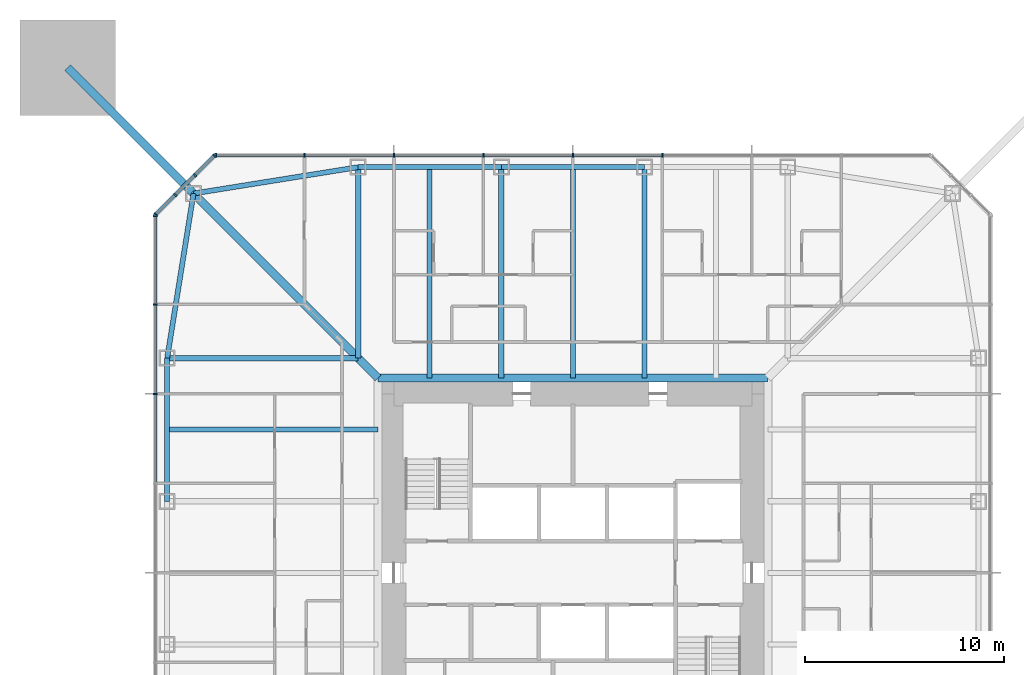
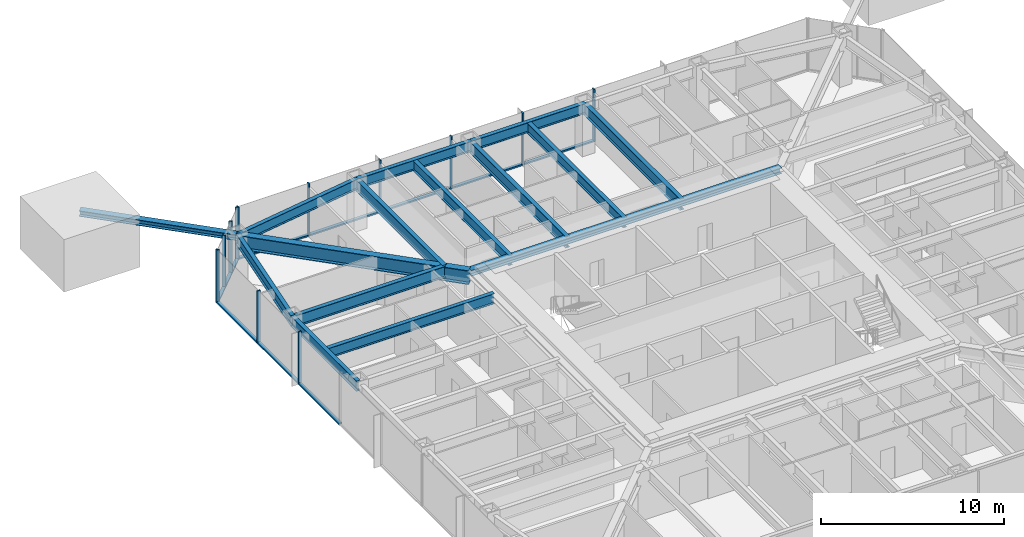
# One storey, part 6 of 25: 25 members, 14 beams, 3 elements without a shape of their own.
"""IFC4 building model written with IfcOpenShell, lengths in metres."""

from ifc_helpers import new_model, si_unit, direction, frame, origin, origin_2d, place, context, subcontext, project, spatial, rectangle, i_section, extrude, material, material_profile, profile_set, type_object, element, aggregate, save


model = new_model("IFC4")

# Units and contexts
model_context = context("Model", 3, precision=1e-05, world=origin(), true_north=direction((0.0, 1.0)))
body_context = subcontext(model_context, "Body", "Model", "MODEL_VIEW")
ifc_project = project(units=[si_unit("LENGTHUNIT", "METRE"), si_unit("AREAUNIT", "SQUARE_METRE"), si_unit("VOLUMEUNIT", "CUBIC_METRE"), si_unit("PLANEANGLEUNIT", "RADIAN"), si_unit("MASSUNIT", "GRAM", prefix="KILO")], contexts=[model_context])

# Site, building, storey
site_placement = place(None, origin())
site = spatial("IfcSite", under=ifc_project, at=site_placement, CompositionType="ELEMENT")
building_placement = place(site_placement, origin())
building = spatial("IfcBuilding", under=site, at=building_placement, Name="Iwan Alto Co-Living Towers", CompositionType="ELEMENT")
storey_placement = place(building_placement, frame((0.0, 0.0, 112.0)))
storey = spatial("IfcBuildingStorey", under=building, at=storey_placement, Name="L30", CompositionType="ELEMENT", Elevation=112.0)

# Curtain wall, members
ifc_material_1 = material(Name="Bronze aluminium unitised frame", Category="aluminium")
curtain_wall_type_1 = type_object("IfcCurtainWallType", Name="CURTAIN WALL CW-A", PredefinedType="NOTDEFINED", material=ifc_material_1)
curtain_wall_1_placement = place(storey_placement, origin())
curtain_wall_1 = element("IfcCurtainWall", 1, at=curtain_wall_1_placement, inside=storey, type_object=curtain_wall_type_1, Name="T1 curtain wall N L30", PredefinedType="NOTDEFINED")
ifc_material_2 = material(Name="Aluminium 6063-T6 bronze anodised", Category="aluminium")
ifc_material_profile_1 = material_profile(ifc_material_2, rectangle(XDim=0.199951171875, YDim=0.080078125, at=origin_2d()), Name="AL 80X200")
ifc_profile_set_1 = profile_set([ifc_material_profile_1], Name="Aluminium 6063-T6 bronze anodised")
member_type_1 = type_object("IfcMemberType", Name="CW-A MULLION 80X200", PredefinedType="MULLION", material=ifc_profile_set_1)
member_1_placement = place(storey_placement, frame((4.5, 21.0, 0.0), z_axis=(0.0, 0.0, 1.0), x_axis=(0.0, -1.0, 0.0)))
member_1 = element("IfcMember", 2, at=member_1_placement, type_object=member_type_1, Name="CW-A mullion 4", PredefinedType="MULLION", context=body_context, shape_type="SweptSolid", body=[
    extrude(rectangle(XDim=0.199951171875, YDim=0.080078125, at=origin_2d()), origin(), (0.0, 0.0, 1.0), 3.5),
])
member_2_placement = place(storey_placement, frame((0.0, 21.0, 0.0), z_axis=(0.0, 0.0, 1.0), x_axis=(0.0, -1.0, 0.0)))
member_2 = element("IfcMember", 3, at=member_2_placement, type_object=member_type_1, Name="CW-A mullion 5", PredefinedType="MULLION", context=body_context, shape_type="SweptSolid", body=[
    extrude(rectangle(XDim=0.199951171875, YDim=0.080078125, at=origin_2d()), origin(), (0.0, 0.0, 1.0), 3.5),
])
member_3_placement = place(storey_placement, frame((-4.5, 21.0, 0.0), z_axis=(0.0, 0.0, 1.0), x_axis=(0.0, -1.0, 0.0)))
member_3 = element("IfcMember", 4, at=member_3_placement, type_object=member_type_1, Name="CW-A mullion 6", PredefinedType="MULLION", context=body_context, shape_type="SweptSolid", body=[
    extrude(rectangle(XDim=0.199951171875, YDim=0.080078125, at=origin_2d()), origin(), (0.0, 0.0, 1.0), 3.5),
])
member_4_placement = place(storey_placement, frame((-9.0, 21.0, 0.0), z_axis=(0.0, 0.0, 1.0), x_axis=(0.0, -1.0, 0.0)))
member_4 = element("IfcMember", 5, at=member_4_placement, type_object=member_type_1, Name="CW-A mullion 7", PredefinedType="MULLION", context=body_context, shape_type="SweptSolid", body=[
    extrude(rectangle(XDim=0.199951171875, YDim=0.080078125, at=origin_2d()), origin(), (0.0, 0.0, 1.0), 3.5),
])
member_5_placement = place(storey_placement, frame((-13.5, 21.0, 0.0), z_axis=(0.0, 0.0, 1.0), x_axis=(0.0, -1.0, 0.0)))
member_5 = element("IfcMember", 6, at=member_5_placement, type_object=member_type_1, Name="CW-A mullion 8", PredefinedType="MULLION", context=body_context, shape_type="SweptSolid", body=[
    extrude(rectangle(XDim=0.199951171875, YDim=0.080078125, at=origin_2d()), origin(), (0.0, 0.0, 1.0), 3.5),
])
member_6_placement = place(storey_placement, frame((-17.9599609375, 21.0, 0.0), z_axis=(0.0, 0.0, 1.0), x_axis=(0.0, -1.0, 0.0)))
member_6 = element("IfcMember", 7, at=member_6_placement, type_object=member_type_1, Name="CW-A mullion 9", PredefinedType="MULLION", context=body_context, shape_type="SweptSolid", body=[
    extrude(rectangle(XDim=0.199951171875, YDim=0.080078125, at=origin_2d()), origin(), (0.0, 0.0, 1.0), 3.5),
])

curtain_wall_2_placement = place(storey_placement, origin())
curtain_wall_2 = element("IfcCurtainWall", 8, at=curtain_wall_2_placement, inside=storey, type_object=curtain_wall_type_1, Name="T1 curtain wall W L30", PredefinedType="NOTDEFINED")
member_7_placement = place(storey_placement, frame((-21.0, 17.9599609375, 0.0), z_axis=(0.0, 0.0, 1.0), x_axis=(1.0, 0.0, 0.0)))
member_7 = element("IfcMember", 9, at=member_7_placement, type_object=member_type_1, Name="CW-A mullion 1", PredefinedType="MULLION", context=body_context, shape_type="SweptSolid", body=[
    extrude(rectangle(XDim=0.199951171875, YDim=0.080078125, at=origin_2d()), origin(), (0.0, 0.0, 1.0), 3.5),
])
member_8_placement = place(storey_placement, frame((-21.0, 13.5, 0.0), z_axis=(0.0, 0.0, 1.0), x_axis=(1.0, 0.0, 0.0)))
member_8 = element("IfcMember", 10, at=member_8_placement, type_object=member_type_1, Name="CW-A mullion 2", PredefinedType="MULLION", context=body_context, shape_type="SweptSolid", body=[
    extrude(rectangle(XDim=0.199951171875, YDim=0.080078125, at=origin_2d()), origin(), (0.0, 0.0, 1.0), 3.5),
])
member_9_placement = place(storey_placement, frame((-21.0, 9.0, 0.0), z_axis=(0.0, 0.0, 1.0), x_axis=(1.0, 0.0, 0.0)))
member_9 = element("IfcMember", 11, at=member_9_placement, type_object=member_type_1, Name="CW-A mullion 3", PredefinedType="MULLION", context=body_context, shape_type="SweptSolid", body=[
    extrude(rectangle(XDim=0.199951171875, YDim=0.080078125, at=origin_2d()), origin(), (0.0, 0.0, 1.0), 3.5),
])

# Member
ifc_material_3 = material(Name="Aluminium 6063-T6 bronze anodised", Category="aluminium")
ifc_material_profile_2 = material_profile(ifc_material_3, rectangle(XDim=0.199951171875, YDim=0.10009765625, at=origin_2d()), Name="AL 200X100")
ifc_profile_set_2 = profile_set([ifc_material_profile_2], Name="Aluminium 6063-T6 bronze anodised")
member_type_2 = type_object("IfcMemberType", Name="CW-A TRANSOM 200X100", PredefinedType="USERDEFINED", material=ifc_profile_set_2)
member_10_placement = place(storey_placement, frame((4.4599609375, 21.0, 0.050048828125), z_axis=(-1.0, 0.0, 0.0), x_axis=(0.0, -1.0, 0.0)))
member_10 = element("IfcMember", 12, at=member_10_placement, type_object=member_type_2, Name="CW-A transom 4.1", ObjectType="TRANSOM", PredefinedType="USERDEFINED", context=body_context, shape_type="SweptSolid", body=[
    extrude(rectangle(XDim=0.199951171875, YDim=0.10009765625, at=origin_2d()), origin(), (0.0, 0.0, 1.0), 4.419921875),
])

member_11_placement = place(storey_placement, frame((-0.0400390625, 21.0, 0.050048828125), z_axis=(-1.0, 0.0, 0.0), x_axis=(0.0, -1.0, 0.0)))
member_11 = element("IfcMember", 13, at=member_11_placement, type_object=member_type_2, Name="CW-A transom 5.1", ObjectType="TRANSOM", PredefinedType="USERDEFINED", context=body_context, shape_type="SweptSolid", body=[
    extrude(rectangle(XDim=0.199951171875, YDim=0.10009765625, at=origin_2d()), origin(), (0.0, 0.0, 1.0), 4.419921875),
])

member_12_placement = place(storey_placement, frame((-4.5400390625, 21.0, 0.050048828125), z_axis=(-1.0, 0.0, 0.0), x_axis=(0.0, -1.0, 0.0)))
member_12 = element("IfcMember", 14, at=member_12_placement, type_object=member_type_2, Name="CW-A transom 6.1", ObjectType="TRANSOM", PredefinedType="USERDEFINED", context=body_context, shape_type="SweptSolid", body=[
    extrude(rectangle(XDim=0.199951171875, YDim=0.10009765625, at=origin_2d()), origin(), (0.0, 0.0, 1.0), 4.419921875),
])

member_13_placement = place(storey_placement, frame((-9.0400390625, 21.0, 0.050048828125), z_axis=(-1.0, 0.0, 0.0), x_axis=(0.0, -1.0, 0.0)))
member_13 = element("IfcMember", 15, at=member_13_placement, type_object=member_type_2, Name="CW-A transom 7.1", ObjectType="TRANSOM", PredefinedType="USERDEFINED", context=body_context, shape_type="SweptSolid", body=[
    extrude(rectangle(XDim=0.199951171875, YDim=0.10009765625, at=origin_2d()), origin(), (0.0, 0.0, 1.0), 4.419921875),
])

member_14_placement = place(storey_placement, frame((-13.5400390625, 21.0, 0.050048828125), z_axis=(-1.0, 0.0, 0.0), x_axis=(0.0, -1.0, 0.0)))
member_14 = element("IfcMember", 16, at=member_14_placement, type_object=member_type_2, Name="CW-A transom 8.1", ObjectType="TRANSOM", PredefinedType="USERDEFINED", context=body_context, shape_type="SweptSolid", body=[
    extrude(rectangle(XDim=0.199951171875, YDim=0.10009765625, at=origin_2d()), origin(), (0.0, 0.0, 1.0), 4.3798828125),
])

aggregate(curtain_wall_1, [member_1, member_2, member_3, member_4, member_5, member_6, member_10, member_11, member_12, member_13, member_14])

member_15_placement = place(storey_placement, frame((-21.0, 17.919921875, 0.050048828125), z_axis=(0.0, -1.0, 0.0), x_axis=(1.0, 0.0, 0.0)))
member_15 = element("IfcMember", 17, at=member_15_placement, type_object=member_type_2, Name="CW-A transom 1.1", ObjectType="TRANSOM", PredefinedType="USERDEFINED", context=body_context, shape_type="SweptSolid", body=[
    extrude(rectangle(XDim=0.199951171875, YDim=0.10009765625, at=origin_2d()), origin(), (0.0, 0.0, 1.0), 4.3798828125),
])

member_16_placement = place(storey_placement, frame((-21.0, 13.4599609375, 0.050048828125), z_axis=(0.0, -1.0, 0.0), x_axis=(1.0, 0.0, 0.0)))
member_16 = element("IfcMember", 18, at=member_16_placement, type_object=member_type_2, Name="CW-A transom 2.1", ObjectType="TRANSOM", PredefinedType="USERDEFINED", context=body_context, shape_type="SweptSolid", body=[
    extrude(rectangle(XDim=0.199951171875, YDim=0.10009765625, at=origin_2d()), origin(), (0.0, 0.0, 1.0), 4.419921875),
])

member_17_placement = place(storey_placement, frame((-21.0, 8.9599609375, 0.050048828125), z_axis=(0.0, -1.0, 0.0), x_axis=(1.0, 0.0, 0.0)))
member_17 = element("IfcMember", 19, at=member_17_placement, type_object=member_type_2, Name="CW-A transom 3.1", ObjectType="TRANSOM", PredefinedType="USERDEFINED", context=body_context, shape_type="SweptSolid", body=[
    extrude(rectangle(XDim=0.199951171875, YDim=0.10009765625, at=origin_2d()), origin(), (0.0, 0.0, 1.0), 4.419921875),
])

aggregate(curtain_wall_2, [member_7, member_8, member_9, member_15, member_16, member_17])

# Curtain wall, members
ifc_material_4 = material(Name="Bronze aluminium unitised frame", Category="aluminium")
curtain_wall_type_2 = type_object("IfcCurtainWallType", Name="CURTAIN WALL CW-B", PredefinedType="NOTDEFINED", material=ifc_material_4)
curtain_wall_3_placement = place(storey_placement, origin())
curtain_wall_3 = element("IfcCurtainWall", 20, at=curtain_wall_3_placement, inside=storey, type_object=curtain_wall_type_2, Name="T1 chamfer curtain wall NW L30", PredefinedType="NOTDEFINED")
ifc_material_5 = material(Name="Aluminium 6063-T6 bronze anodised", Category="aluminium")
ifc_material_profile_3 = material_profile(ifc_material_5, rectangle(XDim=0.199951171875, YDim=0.080078125, at=origin_2d()), Name="AL 80X200")
ifc_profile_set_3 = profile_set([ifc_material_profile_3], Name="Aluminium 6063-T6 bronze anodised")
member_type_3 = type_object("IfcMemberType", Name="CW-B MULLION 80X200", PredefinedType="MULLION", material=ifc_profile_set_3)
member_18_placement = place(storey_placement, frame((-18.0283203125, 20.9716796875, 0.0), z_axis=(0.0, 0.0, 1.0), x_axis=(0.707106781187, -0.707106781187, 0.0)))
member_18 = element("IfcMember", 21, at=member_18_placement, type_object=member_type_3, Name="CW-B mullion 1", PredefinedType="MULLION", context=body_context, shape_type="SweptSolid", body=[
    extrude(rectangle(XDim=0.199951171875, YDim=0.080078125, at=origin_2d()), origin(), (0.0, 0.0, 1.0), 3.5),
])
member_19_placement = place(storey_placement, frame((-19.0, 20.0, 0.0), z_axis=(0.0, 0.0, 1.0), x_axis=(0.707106781187, -0.707106781187, 0.0)))
member_19 = element("IfcMember", 22, at=member_19_placement, type_object=member_type_3, Name="CW-B mullion 2", PredefinedType="MULLION", context=body_context, shape_type="SweptSolid", body=[
    extrude(rectangle(XDim=0.199951171875, YDim=0.080078125, at=origin_2d()), origin(), (0.0, 0.0, 1.0), 3.5),
])
member_20_placement = place(storey_placement, frame((-20.0, 19.0, 0.0), z_axis=(0.0, 0.0, 1.0), x_axis=(0.707106781187, -0.707106781187, 0.0)))
member_20 = element("IfcMember", 23, at=member_20_placement, type_object=member_type_3, Name="CW-B mullion 3", PredefinedType="MULLION", context=body_context, shape_type="SweptSolid", body=[
    extrude(rectangle(XDim=0.199951171875, YDim=0.080078125, at=origin_2d()), origin(), (0.0, 0.0, 1.0), 3.5),
])
member_21_placement = place(storey_placement, frame((-20.9716796875, 18.0283203125, 0.0), z_axis=(0.0, 0.0, 1.0), x_axis=(0.707106781187, -0.707106781187, 0.0)))
member_21 = element("IfcMember", 24, at=member_21_placement, type_object=member_type_3, Name="CW-B mullion 4", PredefinedType="MULLION", context=body_context, shape_type="SweptSolid", body=[
    extrude(rectangle(XDim=0.199951171875, YDim=0.080078125, at=origin_2d()), origin(), (0.0, 0.0, 1.0), 3.5),
])
ifc_material_6 = material(Name="Aluminium 6063-T6 bronze anodised", Category="aluminium")
ifc_material_profile_4 = material_profile(ifc_material_6, rectangle(XDim=0.199951171875, YDim=0.10009765625, at=origin_2d()), Name="AL 200X100")
ifc_profile_set_4 = profile_set([ifc_material_profile_4], Name="Aluminium 6063-T6 bronze anodised")
member_type_4 = type_object("IfcMemberType", Name="CW-B TRANSOM 200X100", PredefinedType="USERDEFINED", material=ifc_profile_set_4)
member_22_placement = place(storey_placement, frame((-18.056640625, 20.943359375, 0.050048828125), z_axis=(-0.707106781187, -0.707106781187, 0.0), x_axis=(0.707106781187, -0.707106781187, 0.0)))
member_22 = element("IfcMember", 25, at=member_22_placement, type_object=member_type_4, Name="CW-B transom 1.1", ObjectType="TRANSOM", PredefinedType="USERDEFINED", context=body_context, shape_type="SweptSolid", body=[
    extrude(rectangle(XDim=0.199951171875, YDim=0.10009765625, at=origin_2d()), origin(), (0.0, 0.0, 1.0), 1.2939453125),
])
member_23_placement = place(storey_placement, frame((-19.0283203125, 19.9716796875, 0.050048828125), z_axis=(-0.707106781187, -0.707106781187, 0.0), x_axis=(0.707106781187, -0.707106781187, 0.0)))
member_23 = element("IfcMember", 26, at=member_23_placement, type_object=member_type_4, Name="CW-B transom 2.1", ObjectType="TRANSOM", PredefinedType="USERDEFINED", context=body_context, shape_type="SweptSolid", body=[
    extrude(rectangle(XDim=0.199951171875, YDim=0.10009765625, at=origin_2d()), origin(), (0.0, 0.0, 1.0), 1.334228515625),
])
member_24_placement = place(storey_placement, frame((-20.0283203125, 18.9716796875, 0.050048828125), z_axis=(-0.707106781187, -0.707106781187, 0.0), x_axis=(0.707106781187, -0.707106781187, 0.0)))
member_24 = element("IfcMember", 27, at=member_24_placement, type_object=member_type_4, Name="CW-B transom 3.1", ObjectType="TRANSOM", PredefinedType="USERDEFINED", context=body_context, shape_type="SweptSolid", body=[
    extrude(rectangle(XDim=0.199951171875, YDim=0.10009765625, at=origin_2d()), origin(), (0.0, 0.0, 1.0), 1.2939453125),
])
aggregate(curtain_wall_3, [member_18, member_19, member_20, member_21, member_22, member_23, member_24])

# Beams
ifc_material_7 = material(Name="Steel ASTM A992 Gr 50", Category="steel")
ifc_material_profile_5 = material_profile(ifc_material_7, i_section(OverallWidth=0.398681640625, OverallDepth=0.385986328125, WebThickness=0.02099609375, FlangeThickness=0.033203125, at=origin_2d()), Name="W14X176")
ifc_profile_set_5 = profile_set([ifc_material_profile_5], Name="Steel ASTM A992 Gr 50")
beam_type_1 = type_object("IfcBeamType", Name="T1 CORE LEDGER BEAM W14X176", PredefinedType="BEAM", material=ifc_profile_set_5)
beam_1_placement = place(storey_placement, frame((9.79931640625, 9.79931640625, 3.076904296875), z_axis=(-1.0, 0.0, 0.0), x_axis=(0.0, -1.0, 0.0)))
element("IfcBeam", 28, at=beam_1_placement, inside=storey, type_object=beam_type_1, Name="T1 core ledger beam N L31", PredefinedType="BEAM", context=body_context, shape_type="SweptSolid", body=[
    extrude(i_section(OverallWidth=0.398681640625, OverallDepth=0.385986328125, WebThickness=0.02099609375, FlangeThickness=0.033203125, at=origin_2d()), origin(), (0.0, 0.0, 1.0), 19.5986328125),
])
ifc_material_8 = material(Name="Steel ASTM A992 Gr 50", Category="steel")
ifc_material_profile_6 = material_profile(ifc_material_8, i_section(OverallWidth=0.419189453125, OverallDepth=0.927001953125, WebThickness=0.019287109375, FlangeThickness=0.031982421875, at=origin_2d()), Name="W36X231")
ifc_profile_set_6 = profile_set([ifc_material_profile_6], Name="Steel ASTM A992 Gr 50")
beam_type_2 = type_object("IfcBeamType", Name="T1 CORNER GIRDER W36X231", PredefinedType="BEAM", material=ifc_profile_set_6)
beam_2_placement = place(storey_placement, frame((-19.07568359375, 19.07568359375, 2.806396484375), z_axis=(0.707106781187, -0.707106781187, 0.0), x_axis=(0.707106781187, 0.707106781187, 0.0)))
element("IfcBeam", 29, at=beam_2_placement, inside=storey, type_object=beam_type_2, Name="T1 corner girder CNW L31", PredefinedType="BEAM", context=body_context, shape_type="SweptSolid", body=[
    extrude(i_section(OverallWidth=0.419189453125, OverallDepth=0.927001953125, WebThickness=0.019287109375, FlangeThickness=0.031982421875, at=origin_2d()), origin(), (0.0, 0.0, 1.0), 13.11865234375),
])
ifc_material_9 = material(Name="Steel ASTM A992 Gr 50", Category="steel")
ifc_material_profile_7 = material_profile(ifc_material_9, i_section(OverallWidth=0.25390625, OverallDepth=0.683349609375, WebThickness=0.012451171875, FlangeThickness=0.018798828125, at=origin_2d()), Name="W27X94")
ifc_profile_set_7 = profile_set([ifc_material_profile_7], Name="Steel ASTM A992 Gr 50")
beam_type_3 = type_object("IfcBeamType", Name="T1 EDGE BEAM W27X94", PredefinedType="BEAM", material=ifc_profile_set_7)
beam_3_placement = place(storey_placement, frame((3.60009765625, 20.39990234375, 2.928466796875), z_axis=(-1.0, 0.0, 0.0), x_axis=(0.0, -1.0, 0.0)))
element("IfcBeam", 30, at=beam_3_placement, inside=storey, type_object=beam_type_3, Name="T1 edge beam N2 L31", PredefinedType="BEAM", context=body_context, shape_type="SweptSolid", body=[
    extrude(i_section(OverallWidth=0.25390625, OverallDepth=0.683349609375, WebThickness=0.012451171875, FlangeThickness=0.018798828125, at=origin_2d()), origin(), (0.0, 0.0, 1.0), 7.2001953125),
])
beam_4_placement = place(storey_placement, frame((-3.60009765625, 20.39990234375, 2.928466796875), z_axis=(-1.0, 0.0, 0.0), x_axis=(0.0, -1.0, 0.0)))
element("IfcBeam", 31, at=beam_4_placement, inside=storey, type_object=beam_type_3, Name="T1 edge beam N3 L31", PredefinedType="BEAM", context=body_context, shape_type="SweptSolid", body=[
    extrude(i_section(OverallWidth=0.25390625, OverallDepth=0.683349609375, WebThickness=0.012451171875, FlangeThickness=0.018798828125, at=origin_2d()), origin(), (0.0, 0.0, 1.0), 7.199951171875),
])
for number, where, z_axis, x_axis, name in (
    (32, (-10.800048828125, 20.39990234375, 2.928466796875), (-0.987438450439, -0.158004134737, 0.0), (0.158004134737, -0.987438450439, 0.0), "T1 edge beam N4 L31"),
    (33, (-19.07568359375, 19.07568359375, 2.928466796875), (-0.158004134737, -0.987438450439, 0.0), (0.987438450439, -0.158004134737, 0.0), "T1 edge beam CNW L31"),
):
    element("IfcBeam", number, at=place(storey_placement, frame(where, z_axis=z_axis, x_axis=x_axis)), inside=storey, type_object=beam_type_3, Name=name, PredefinedType="BEAM", context=body_context, shape_type="SweptSolid", body=[
        extrude(i_section(OverallWidth=0.25390625, OverallDepth=0.683349609375, WebThickness=0.012451171875, FlangeThickness=0.018798828125, at=origin_2d()), origin(), (0.0, 0.0, 1.0), 8.380859375),
    ])
beam_5_placement = place(storey_placement, frame((-20.39990234375, 10.800048828125, 2.928466796875), z_axis=(0.0, -1.0, 0.0), x_axis=(1.0, 0.0, 0.0)))
element("IfcBeam", 34, at=beam_5_placement, inside=storey, type_object=beam_type_3, Name="T1 edge beam W1 L31", PredefinedType="BEAM", context=body_context, shape_type="SweptSolid", body=[
    extrude(i_section(OverallWidth=0.25390625, OverallDepth=0.683349609375, WebThickness=0.012451171875, FlangeThickness=0.018798828125, at=origin_2d()), origin(), (0.0, 0.0, 1.0), 7.199951171875),
])

# Member
ifc_material_10 = material(Name="Steel ASTM A992 Gr 50", Category="steel")
ifc_material_profile_8 = material_profile(ifc_material_10, i_section(OverallWidth=0.393798828125, OverallDepth=0.3759765625, WebThickness=0.017333984375, FlangeThickness=0.027587890625, at=origin_2d()), Name="W14X145")
ifc_profile_set_8 = profile_set([ifc_material_profile_8], Name="Steel ASTM A992 Gr 50")
member_type_5 = type_object("IfcMemberType", Name="T1 MEGA COLUMN FLOOR TIE W14X145", PredefinedType="STRUT", material=ifc_profile_set_8)
member_25_placement = place(storey_placement, frame((-25.39990234375, 25.39990234375, 3.08203125), z_axis=(0.707106781187, -0.707106781187, 0.0), x_axis=(0.707106781187, 0.707106781187, 0.0)))
element("IfcMember", 35, at=member_25_placement, inside=storey, type_object=member_type_5, Name="T1 mega column floor tie NW L31", PredefinedType="STRUT", context=body_context, shape_type="SweptSolid", body=[
    extrude(i_section(OverallWidth=0.393798828125, OverallDepth=0.3759765625, WebThickness=0.017333984375, FlangeThickness=0.027587890625, at=origin_2d()), origin(), (0.0, 0.0, 1.0), 8.94384765625),
])

# Beams
ifc_material_11 = material(Name="Steel ASTM A992 Gr 50", Category="steel")
ifc_material_profile_9 = material_profile(ifc_material_11, i_section(OverallWidth=0.2666015625, OverallDepth=0.761962890625, WebThickness=0.014404296875, FlangeThickness=0.021484375, at=origin_2d()), Name="W30X116")
ifc_profile_set_9 = profile_set([ifc_material_profile_9], Name="Steel ASTM A992 Gr 50")
beam_type_4 = type_object("IfcBeamType", Name="T1 RADIAL BEAM W30X116", PredefinedType="BEAM", material=ifc_profile_set_9)
for number, where, z_axis, x_axis, name in (
    (36, (3.60009765625, 20.39990234375, 2.888916015625), (0.0, -1.0, 0.0), (1.0, 0.0, 0.0), "T1 radial beam N2 L31"),
    (37, (-3.60009765625, 20.39990234375, 2.888916015625), (0.0, -1.0, 0.0), (1.0, 0.0, 0.0), "T1 radial beam N3 L31"),
):
    element("IfcBeam", number, at=place(storey_placement, frame(where, z_axis=z_axis, x_axis=x_axis)), inside=storey, type_object=beam_type_4, Name=name, PredefinedType="BEAM", context=body_context, shape_type="SweptSolid", body=[
        extrude(i_section(OverallWidth=0.2666015625, OverallDepth=0.761962890625, WebThickness=0.014404296875, FlangeThickness=0.021484375, at=origin_2d()), origin(), (0.0, 0.0, 1.0), 10.6005859375),
    ])
for number, where, z_axis, x_axis, name in (
    (38, (-10.800048828125, 20.39990234375, 2.888916015625), (0.0, -1.0, 0.0), (1.0, 0.0, 0.0), "T1 radial beam N4 L31"),
    (39, (-20.39990234375, 10.800048828125, 2.888916015625), (1.0, 0.0, 0.0), (0.0, 1.0, 0.0), "T1 radial beam W1 L31"),
):
    element("IfcBeam", number, at=place(storey_placement, frame(where, z_axis=z_axis, x_axis=x_axis)), inside=storey, type_object=beam_type_4, Name=name, PredefinedType="BEAM", context=body_context, shape_type="SweptSolid", body=[
        extrude(i_section(OverallWidth=0.2666015625, OverallDepth=0.761962890625, WebThickness=0.014404296875, FlangeThickness=0.021484375, at=origin_2d()), origin(), (0.0, 0.0, 1.0), 9.599853515625),
    ])
ifc_material_12 = material(Name="Steel ASTM A992 Gr 50", Category="steel")
ifc_material_profile_10 = material_profile(ifc_material_12, i_section(OverallWidth=0.25390625, OverallDepth=0.683349609375, WebThickness=0.012451171875, FlangeThickness=0.018798828125, at=origin_2d()), Name="W27X94")
ifc_profile_set_10 = profile_set([ifc_material_profile_10], Name="Steel ASTM A992 Gr 50")
beam_type_5 = type_object("IfcBeamType", Name="T1 SECONDARY BEAM W27X94", PredefinedType="JOIST", material=ifc_profile_set_10)
for number, where, z_axis, x_axis, name in (
    (40, (0.0, 20.39990234375, 2.928466796875), (0.0, -1.0, 0.0), (1.0, 0.0, 0.0), "T1 secondary beam N2 L31"),
    (41, (-7.199951171875, 20.39990234375, 2.928466796875), (0.0, -1.0, 0.0), (1.0, 0.0, 0.0), "T1 secondary beam N3 L31"),
    (42, (-20.39990234375, 7.199951171875, 2.928466796875), (1.0, 0.0, 0.0), (0.0, 1.0, 0.0), "T1 secondary beam W1 L31"),
):
    element("IfcBeam", number, at=place(storey_placement, frame(where, z_axis=z_axis, x_axis=x_axis)), inside=storey, type_object=beam_type_5, Name=name, PredefinedType="JOIST", context=body_context, shape_type="SweptSolid", body=[
        extrude(i_section(OverallWidth=0.25390625, OverallDepth=0.683349609375, WebThickness=0.012451171875, FlangeThickness=0.018798828125, at=origin_2d()), origin(), (0.0, 0.0, 1.0), 10.6005859375),
    ])

save(model, "model.ifc")
